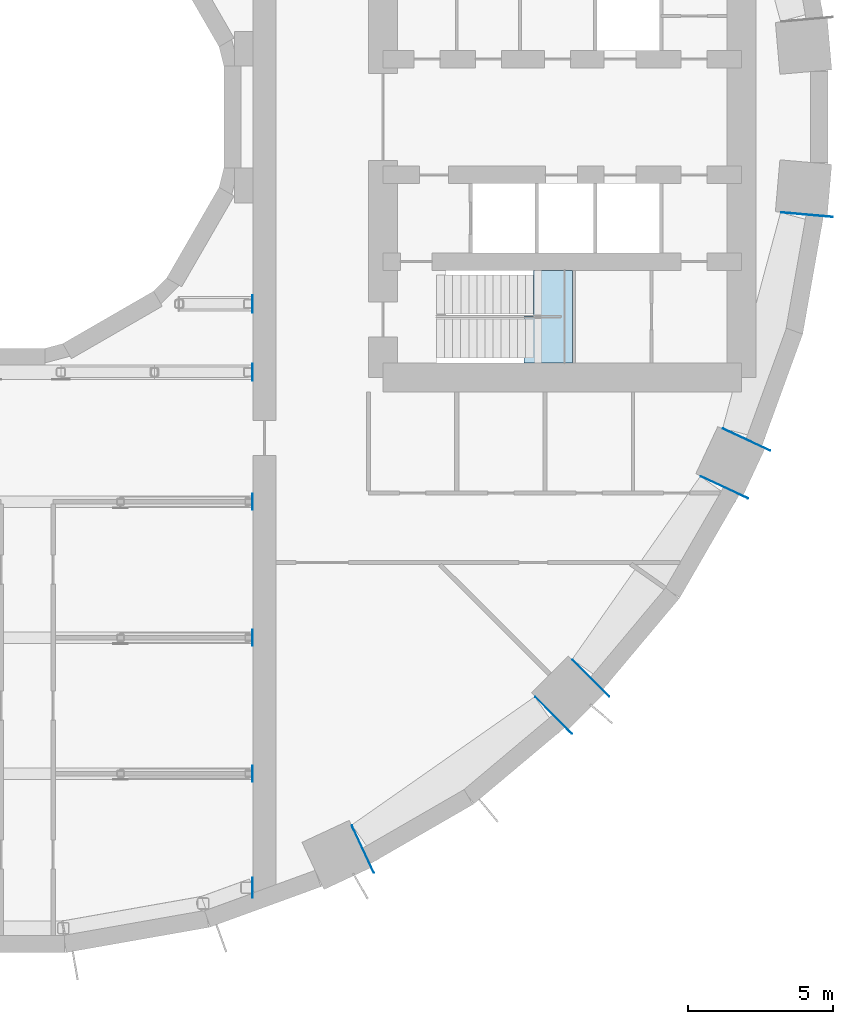
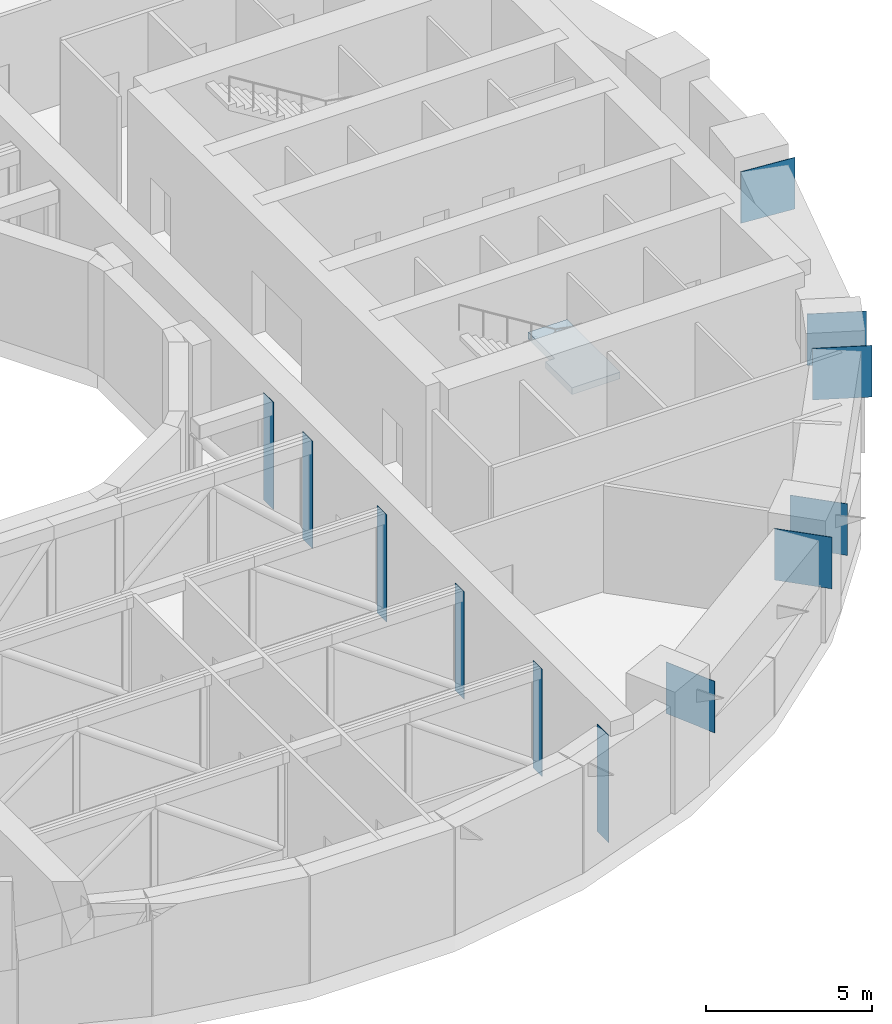
# One storey, part 10 of 21: 12 plates, 1 slab, 1 element without a shape of its own.
"""IFC4 building model written with IfcOpenShell, lengths in metres."""

import ifcopenshell
import ifcopenshell.guid

model = None  # the IFC model being written
_history = None  # IfcOwnerHistory: only IFC2X3 demands one
_inside = {}  # id of a spatial element -> (the spatial element, [elements in it])
_under = {}  # id of a project, library or spatial element -> (it, [spatial elements below it])
_declared = {}  # id of a project -> (the project, [libraries it declares])
_typed = {}  # id of a type object -> (the type object, [elements of that type])
_made_of = {}  # id of a material, layer set ... -> (it, [elements and type objects made of it])


def new_model(schema):
    """Start an empty IFC model of exactly this schema.

    Asked for "IFC4X3", IfcOpenShell would pick the latest addendum, in which some entities
    have other attributes; the version numbers below select the first issue.
    IFC2X3 requires an IfcOwnerHistory on every rooted entity: one is made here for all.
    """
    global model, _history
    if schema == "IFC4X3":
        model = ifcopenshell.file(schema_version=(4, 3, 0, 0))
    else:
        model = ifcopenshell.file(schema=schema)
    _inside.clear()
    _under.clear()
    _declared.clear()
    _typed.clear()
    _made_of.clear()
    _history = None
    if model.schema == "IFC2X3":
        org = make("IfcOrganization", Name="unknown")
        user = make(
            "IfcPersonAndOrganization",
            ThePerson=make("IfcPerson", FamilyName="unknown"),
            TheOrganization=org,
        )
        app = make(
            "IfcApplication",
            ApplicationDeveloper=org,
            Version="unknown",
            ApplicationFullName="unknown",
            ApplicationIdentifier="unknown",
        )
        _history = make(
            "IfcOwnerHistory",
            OwningUser=user,
            OwningApplication=app,
            ChangeAction="ADDED",
            CreationDate=0,
        )
    return model


def make(cls, **values):
    """One entity of the class cls with the attributes given. An attribute that is None is left unset."""
    return model.create_entity(
        cls, **{name: value for name, value in values.items() if value is not None}
    )


def rooted(cls, **values):
    """An entity with a GlobalId (a new one), such as an element, a storey or a relation."""
    return make(cls, GlobalId=ifcopenshell.guid.new(), OwnerHistory=_history, **values)


def si_unit(unit_type, name, prefix=None):
    """IfcSIUnit, for example si_unit("LENGTHUNIT", "METRE", prefix="MILLI")."""
    return make("IfcSIUnit", UnitType=unit_type, Prefix=prefix, Name=name)


def assignment(units):
    """IfcUnitAssignment: the units of a project."""
    return None if units is None else make("IfcUnitAssignment", Units=units)


def point(xyz):
    """IfcCartesianPoint."""
    return None if xyz is None else make("IfcCartesianPoint", Coordinates=xyz)


def direction(xyz):
    """IfcDirection."""
    return None if xyz is None else make("IfcDirection", DirectionRatios=xyz)


def frame(location, z_axis=None, x_axis=None):
    """IfcAxis2Placement3D, a coordinate frame: its origin and axes. An axis left out is left unset."""
    return make(
        "IfcAxis2Placement3D",
        Location=point(location),
        Axis=direction(z_axis),
        RefDirection=direction(x_axis),
    )


def origin():
    """The frame at (0, 0, 0) with its axes left unset."""
    return frame((0.0, 0.0, 0.0))


def place(relative_to, where):
    """IfcLocalPlacement: puts the frame where relative to a parent placement (None: the world)."""
    return make(
        "IfcLocalPlacement", PlacementRelTo=relative_to, RelativePlacement=where
    )


def context(
    kind, dimensions, precision=None, world=None, true_north=None, identifier=None
):
    """IfcGeometricRepresentationContext, for example the 3D "Model" context."""
    return make(
        "IfcGeometricRepresentationContext",
        ContextIdentifier=identifier,
        ContextType=kind,
        CoordinateSpaceDimension=dimensions,
        Precision=precision,
        WorldCoordinateSystem=world,
        TrueNorth=true_north,
    )


def subcontext(parent, identifier, kind, view, scale=None):
    """IfcGeometricRepresentationSubContext, for example "Body" below "Model"."""
    return make(
        "IfcGeometricRepresentationSubContext",
        ContextIdentifier=identifier,
        ContextType=kind,
        ParentContext=parent,
        TargetScale=scale,
        TargetView=view,
    )


def project(units=None, contexts=None):
    """IfcProject with its units and contexts."""
    return rooted(
        "IfcProject",
        Name="project",
        RepresentationContexts=contexts,
        UnitsInContext=assignment(units),
    )


def spatial(cls, under=None, at=None, **own):
    """A site, building, storey or space (cls), placed at a placement, below another one or the project."""
    s = rooted(cls, ObjectPlacement=at, **own)
    if under is not None:
        _under.setdefault(under.id(), (under, []))[1].append(s)
    return s


def polyline(points):
    """IfcPolyline through the points."""
    return make("IfcPolyline", Points=[point(p) for p in points])


def outline(outer, holes=None, kind="AREA"):
    """IfcArbitraryClosedProfileDef: a profile drawn as a closed curve; with holes, ...WithVoids."""
    if holes is None:
        return make("IfcArbitraryClosedProfileDef", ProfileType=kind, OuterCurve=outer)
    return make(
        "IfcArbitraryProfileDefWithVoids",
        ProfileType=kind,
        OuterCurve=outer,
        InnerCurves=holes,
    )


def extrude(swept, where, along, depth):
    """IfcExtrudedAreaSolid: the profile swept, set in the frame where, extruded along a direction by depth."""
    return make(
        "IfcExtrudedAreaSolid",
        SweptArea=swept,
        Position=where,
        ExtrudedDirection=direction(along),
        Depth=depth,
    )


def shape(context_of_items, identifier, shape_type, items):
    """IfcShapeRepresentation: the items that make up one representation, for example the "Body"."""
    return make(
        "IfcShapeRepresentation",
        ContextOfItems=context_of_items,
        RepresentationIdentifier=identifier,
        RepresentationType=shape_type,
        Items=items,
    )


def material(Name=None, Category=None):
    """IfcMaterial."""
    return make("IfcMaterial", Name=Name, Category=Category)


def layer(
    of_material, thickness, ventilated=None, Name=None, Category=None, Priority=None
):
    """IfcMaterialLayer: one layer of a wall or slab, of a material (None: an air gap)."""
    return make(
        "IfcMaterialLayer",
        Material=of_material,
        LayerThickness=thickness,
        IsVentilated=ventilated,
        Name=Name,
        Category=Category,
        Priority=Priority,
    )


def layer_set(layers, Name=None):
    """IfcMaterialLayerSet."""
    return make("IfcMaterialLayerSet", MaterialLayers=layers, LayerSetName=Name)


def made_of(thing, what):
    """Note that an element or type object is made of a material, layer set ...; save() writes the relation."""
    if what is not None:
        _made_of.setdefault(what.id(), (what, []))[1].append(thing)
    return thing


def type_object(cls, material=None, **own):
    """A type object (cls), such as IfcWallType, which elements share."""
    return made_of(rooted(cls, **own), material)


def element(
    cls,
    number,
    at=None,
    inside=None,
    cuts=None,
    type_object=None,
    material=None,
    context=None,
    identifier="Body",
    shape_type=None,
    held_by="IfcProductDefinitionShape",
    body=None,
    shapes=None,
    **own,
):
    """One element of the class cls, such as IfcWall. Its Tag is "e" and its number.

    at: its placement. inside: the storey or other place that contains it. cuts: it is an
    opening in that element (IfcRelVoidsElement). A single representation is given by context,
    identifier, shape_type and body (its items); several are given by shapes. held_by: the class
    of the entity that holds the representations. save() writes the other relations.
    """
    e = rooted(cls, Tag="e%d" % number, ObjectPlacement=at, **own)
    if body is not None:
        shapes = [shape(context, identifier, shape_type, body)]
    if shapes is not None:
        e.Representation = make(held_by, Representations=shapes)
    if inside is not None:
        _inside.setdefault(inside.id(), (inside, []))[1].append(e)
    if cuts is not None:
        rooted(
            "IfcRelVoidsElement", RelatingBuildingElement=cuts, RelatedOpeningElement=e
        )
    if type_object is not None:
        _typed.setdefault(type_object.id(), (type_object, []))[1].append(e)
    return made_of(e, material)


def aggregate(whole, parts):
    """IfcRelAggregates: a whole, such as a stair, and the parts it consists of."""
    return rooted("IfcRelAggregates", RelatingObject=whole, RelatedObjects=parts)


def save(model, path):
    """Write the relations noted so far, then the file.

    IfcRelAggregates (storeys below a building ...), IfcRelContainedInSpatialStructure (elements
    in a storey), IfcRelDefinesByType, IfcRelAssociatesMaterial and IfcRelDeclares: one each for
    every whole, place, type object, material and project.
    """
    for whole, parts in _under.values():
        aggregate(whole, parts)
    for where, things in _inside.values():
        rooted(
            "IfcRelContainedInSpatialStructure",
            RelatedElements=things,
            RelatingStructure=where,
        )
    for kind, things in _typed.values():
        rooted("IfcRelDefinesByType", RelatedObjects=things, RelatingType=kind)
    for what, things in _made_of.values():
        rooted("IfcRelAssociatesMaterial", RelatedObjects=things, RelatingMaterial=what)
    for by, libraries in _declared.values():
        rooted("IfcRelDeclares", RelatingContext=by, RelatedDefinitions=libraries)
    model.write(path)


model = new_model("IFC4")

# Units and contexts
model_context = context("Model", 3, precision=1e-05, world=origin(), true_north=direction((0.0, 1.0)))
body_context = subcontext(model_context, "Body", "Model", "MODEL_VIEW")
ifc_project = project(units=[si_unit("LENGTHUNIT", "METRE"), si_unit("AREAUNIT", "SQUARE_METRE"), si_unit("VOLUMEUNIT", "CUBIC_METRE"), si_unit("PLANEANGLEUNIT", "RADIAN"), si_unit("MASSUNIT", "GRAM", prefix="KILO")], contexts=[model_context])

# Site, building, storey
site_placement = place(None, origin())
site = spatial("IfcSite", under=ifc_project, at=site_placement, CompositionType="ELEMENT")
building_placement = place(site_placement, origin())
building = spatial("IfcBuilding", under=site, at=building_placement, Name="Saqina Gate Tower", CompositionType="ELEMENT")
storey_placement = place(building_placement, frame((0.0, 0.0, 21.800048828125)))
storey = spatial("IfcBuildingStorey", under=building, at=storey_placement, Name="L05", CompositionType="ELEMENT", Elevation=21.800048828125)

# Stair, slab
ifc_material_1 = material(Name="Concrete C40/50", Category="concrete")
stair_type = type_object("IfcStairType", Name="EXIT STAIR", PredefinedType="HALF_TURN_STAIR", material=ifc_material_1)
stair_placement = place(storey_placement, origin())
stair = element("IfcStair", 1, at=stair_placement, inside=storey, type_object=stair_type, Name="EXIT STAIR 2", PredefinedType="HALF_TURN_STAIR")
ifc_material_2 = material(Name="Concrete C40/50", Category="concrete")
ifc_layer_1 = layer(ifc_material_2, 0.25)
ifc_layer_set_1 = layer_set([ifc_layer_1], Name="Concrete C40/50")
slab_type = type_object("IfcSlabType", Name="EXIT STAIR LANDING", PredefinedType="LANDING", material=ifc_layer_set_1)
slab_placement = place(storey_placement, frame((0.0, 0.0, 2.0)))
slab = element("IfcSlab", 2, at=slab_placement, type_object=slab_type, Name="EXIT STAIR 2 LANDING 1", PredefinedType="LANDING", context=body_context, shape_type="SweptSolid", body=[
    extrude(outline(polyline([(18.384765625, -8.5), (18.384765625, -6.89990234375), (18.705078125, -6.89990234375), (18.705078125, -5.300048828125), (20.06005859375, -5.300048828125), (20.06005859375, -8.5), (18.7099609375, -8.5), (18.705078125, -8.5), (18.384765625, -8.5)])), origin(), (0.0, 0.0, 1.0), 0.25),
])
aggregate(stair, [slab])

# Plates
ifc_material_3 = material(Name="Steel S460", Category="steel")
ifc_layer_2 = layer(ifc_material_3, 0.01806640625)
ifc_layer_set_2 = layer_set([ifc_layer_2], Name="Steel S460")
plate_type = type_object("IfcPlateType", Name="STR-BEARING PLATE", PredefinedType="USERDEFINED", material=ifc_layer_set_2)
plate_1_placement = place(storey_placement, origin())
element("IfcPlate", 3, at=plate_1_placement, inside=storey, type_object=plate_type, Name="BEARING PLATE L05 04", ObjectType="EMBED PLATE", PredefinedType="USERDEFINED", context=body_context, shape_type="SweptSolid", body=[
    extrude(outline(polyline([(9.0, -26.996337890625), (9.0, -26.296142578125), (8.98193359375, -26.296142578125), (8.98193359375, -26.996337890625), (9.0, -26.996337890625)])), origin(), (0.0, 0.0, 1.0), 3.949951171875),
])
plate_2_placement = place(storey_placement, origin())
element("IfcPlate", 4, at=plate_2_placement, inside=storey, type_object=plate_type, Name="BEARING PLATE L05 08", ObjectType="EMBED PLATE", PredefinedType="USERDEFINED", context=body_context, shape_type="SweptSolid", body=[
    extrude(outline(polyline([(9.0, -9.12109375), (9.0, -8.52099609375), (8.98193359375, -8.52099609375), (8.98193359375, -9.12109375), (9.0, -9.12109375)])), origin(), (0.0, 0.0, 1.0), 3.949951171875),
])
plate_3_placement = place(storey_placement, origin())
element("IfcPlate", 5, at=plate_3_placement, inside=storey, type_object=plate_type, Name="BEARING PLATE L05 12", ObjectType="EMBED PLATE", PredefinedType="USERDEFINED", context=body_context, shape_type="SweptSolid", body=[
    extrude(outline(polyline([(9.0, -13.574951171875), (9.0, -13.02490234375), (8.98193359375, -13.02490234375), (8.98193359375, -13.574951171875), (9.0, -13.574951171875)])), origin(), (0.0, 0.0, 1.0), 3.949951171875),
])
plate_4_placement = place(storey_placement, origin())
element("IfcPlate", 6, at=plate_4_placement, inside=storey, type_object=plate_type, Name="BEARING PLATE L05 16", ObjectType="EMBED PLATE", PredefinedType="USERDEFINED", context=body_context, shape_type="SweptSolid", body=[
    extrude(outline(polyline([(9.0, -18.27490234375), (9.0, -17.72509765625), (8.98193359375, -17.72509765625), (8.98193359375, -18.27490234375), (9.0, -18.27490234375)])), origin(), (0.0, 0.0, 1.0), 3.949951171875),
])
plate_5_placement = place(storey_placement, origin())
element("IfcPlate", 7, at=plate_5_placement, inside=storey, type_object=plate_type, Name="BEARING PLATE L05 20", ObjectType="EMBED PLATE", PredefinedType="USERDEFINED", context=body_context, shape_type="SweptSolid", body=[
    extrude(outline(polyline([(9.0, -22.97509765625), (9.0, -22.425048828125), (8.98193359375, -22.425048828125), (8.98193359375, -22.97509765625), (9.0, -22.97509765625)])), origin(), (0.0, 0.0, 1.0), 3.949951171875),
])
plate_6_placement = place(storey_placement, origin())
element("IfcPlate", 8, at=plate_6_placement, inside=storey, type_object=plate_type, Name="BEARING PLATE L05 24", ObjectType="EMBED PLATE", PredefinedType="USERDEFINED", context=body_context, shape_type="SweptSolid", body=[
    extrude(outline(polyline([(9.0, -6.757568359375), (9.0, -6.157470703125), (8.98193359375, -6.157470703125), (8.98193359375, -6.757568359375), (9.0, -6.757568359375)])), origin(), (0.0, 0.0, 1.0), 3.949951171875),
])
plate_7_placement = place(storey_placement, frame((0.0, 0.0, 2.050048828125)))
element("IfcPlate", 9, at=plate_7_placement, inside=storey, type_object=plate_type, Name="BEARING PLATE L05 GIRDER 10 W", ObjectType="EMBED PLATE", PredefinedType="USERDEFINED", context=body_context, shape_type="SweptSolid", body=[
    extrude(outline(polyline([(13.1923828125, -26.118896484375), (12.431640625, -24.487548828125), (12.415283203125, -24.4951171875), (13.176025390625, -26.12646484375), (13.1923828125, -26.118896484375)])), origin(), (0.0, 0.0, 1.0), 1.89990234375),
])
plate_8_placement = place(storey_placement, frame((0.0, 0.0, 2.050048828125)))
element("IfcPlate", 10, at=plate_8_placement, inside=storey, type_object=plate_type, Name="BEARING PLATE L05 GIRDER 10 E", ObjectType="EMBED PLATE", PredefinedType="USERDEFINED", context=body_context, shape_type="SweptSolid", body=[
    extrude(outline(polyline([(18.7587890625, -20.05712890625), (20.031494140625, -21.329833984375), (20.04443359375, -21.317138671875), (18.771484375, -20.04443359375), (18.7587890625, -20.05712890625)])), origin(), (0.0, 0.0, 1.0), 1.89990234375),
])
plate_9_placement = place(storey_placement, frame((0.0, 0.0, 2.050048828125)))
element("IfcPlate", 11, at=plate_9_placement, inside=storey, type_object=plate_type, Name="BEARING PLATE L05 GIRDER 11 W", ObjectType="EMBED PLATE", PredefinedType="USERDEFINED", context=body_context, shape_type="SweptSolid", body=[
    extrude(outline(polyline([(21.329833984375, -20.031494140625), (20.05712890625, -18.7587890625), (20.04443359375, -18.771484375), (21.317138671875, -20.04443359375), (21.329833984375, -20.031494140625)])), origin(), (0.0, 0.0, 1.0), 1.89990234375),
])
plate_10_placement = place(storey_placement, frame((0.0, 0.0, 2.050048828125)))
element("IfcPlate", 12, at=plate_10_placement, inside=storey, type_object=plate_type, Name="BEARING PLATE L05 GIRDER 11 E", ObjectType="EMBED PLATE", PredefinedType="USERDEFINED", context=body_context, shape_type="SweptSolid", body=[
    extrude(outline(polyline([(24.487548828125, -12.431640625), (26.118896484375, -13.1923828125), (26.12646484375, -13.176025390625), (24.4951171875, -12.415283203125), (24.487548828125, -12.431640625)])), origin(), (0.0, 0.0, 1.0), 1.89990234375),
])
plate_11_placement = place(storey_placement, frame((0.0, 0.0, 2.050048828125)))
element("IfcPlate", 13, at=plate_11_placement, inside=storey, type_object=plate_type, Name="BEARING PLATE L05 GIRDER 12 W", ObjectType="EMBED PLATE", PredefinedType="USERDEFINED", context=body_context, shape_type="SweptSolid", body=[
    extrude(outline(polyline([(26.894775390625, -11.5283203125), (25.263427734375, -10.767578125), (25.255859375, -10.783935546875), (26.88720703125, -11.544677734375), (26.894775390625, -11.5283203125)])), origin(), (0.0, 0.0, 1.0), 1.89990234375),
])
plate_12_placement = place(storey_placement, frame((0.0, 0.0, 2.050048828125)))
element("IfcPlate", 14, at=plate_12_placement, inside=storey, type_object=plate_type, Name="BEARING PLATE L05 GIRDER 12 E", ObjectType="EMBED PLATE", PredefinedType="USERDEFINED", context=body_context, shape_type="SweptSolid", body=[
    extrude(outline(polyline([(27.262451171875, -3.306640625), (29.0556640625, -3.463623046875), (29.05712890625, -3.445556640625), (27.26416015625, -3.288818359375), (27.262451171875, -3.306640625)])), origin(), (0.0, 0.0, 1.0), 1.89990234375),
])

save(model, "model.ifc")
